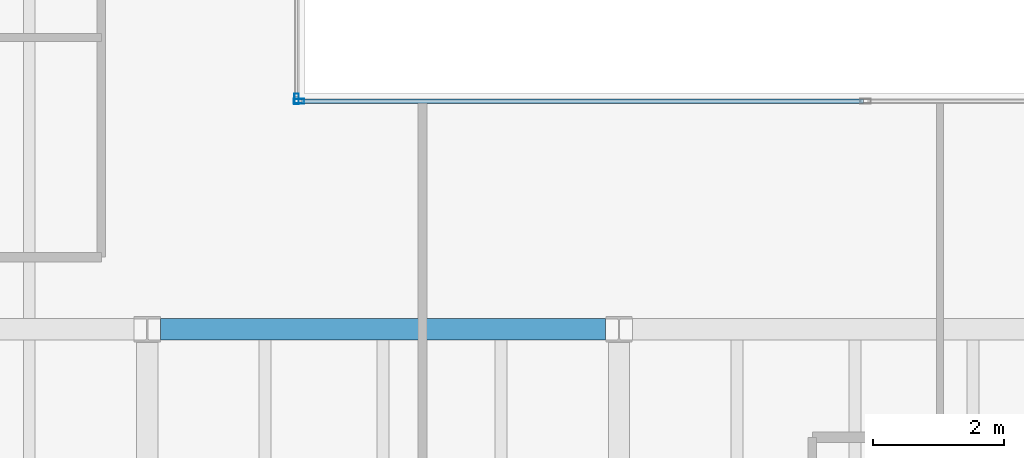
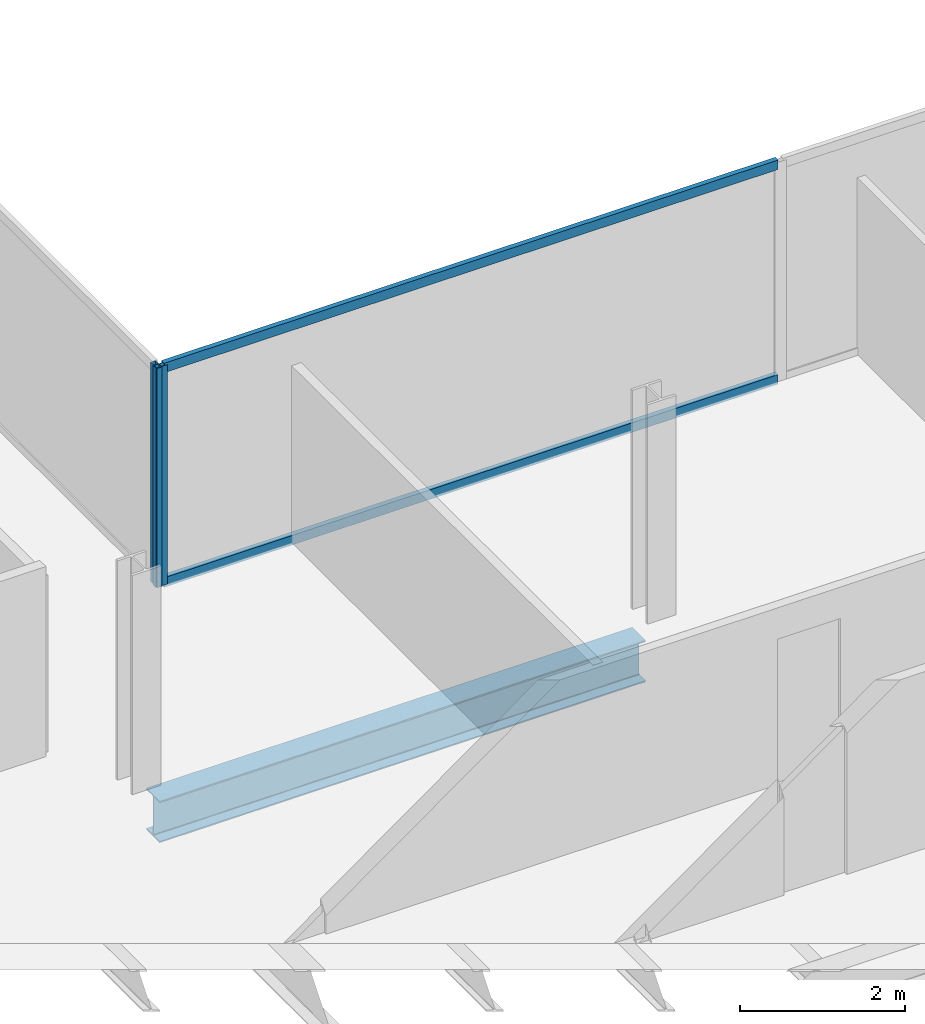
# One storey, part 8 of 23: 4 members, 1 beam, 2 elements without a shape of their own.
"""IFC4 building model written with IfcOpenShell, lengths in metres."""

from ifc_helpers import new_model, si_unit, direction, frame, origin, origin_2d, place, context, subcontext, project, spatial, hollow_rectangle, i_section, extrude, material, material_profile, profile_set, type_object, element, aggregate, save


model = new_model("IFC4")

# Units and contexts
model_context = context("Model", 3, precision=1e-05, world=origin(), true_north=direction((0.0, 1.0)))
body_context = subcontext(model_context, "Body", "Model", "MODEL_VIEW")
ifc_project = project(units=[si_unit("LENGTHUNIT", "METRE"), si_unit("AREAUNIT", "SQUARE_METRE"), si_unit("VOLUMEUNIT", "CUBIC_METRE"), si_unit("PLANEANGLEUNIT", "RADIAN"), si_unit("MASSUNIT", "GRAM", prefix="KILO")], contexts=[model_context])

# Site, building, storey
site_placement = place(None, origin())
site = spatial("IfcSite", under=ifc_project, at=site_placement, CompositionType="ELEMENT")
building_placement = place(site_placement, origin())
building = spatial("IfcBuilding", under=site, at=building_placement, Name="Cobrela Telecom Tower", CompositionType="ELEMENT")
storey_placement = place(building_placement, frame((0.0, 0.0, 211.75)))
storey = spatial("IfcBuildingStorey", under=building, at=storey_placement, Name="L54", CompositionType="ELEMENT", Elevation=211.75)

# Beam
ifc_material_1 = material(Name="Steel ASTM A992 Grade 50", Category="steel")
ifc_material_profile_1 = material_profile(ifc_material_1, i_section(OverallWidth=0.324951171875, OverallDepth=0.612060546875, WebThickness=0.0126953125, FlangeThickness=0.01904296875, FilletRadius=0.014892578125, at=origin_2d()), Name="W24X104")
ifc_profile_set_1 = profile_set([ifc_material_profile_1], Name="Steel ASTM A992 Grade 50")
beam_type = type_object("IfcBeamType", Name="BM-GIRD-07", PredefinedType="USERDEFINED", material=ifc_profile_set_1)
beam_placement = place(storey_placement, frame((21.804443359375, 21.60009765625, -0.56591796875), z_axis=(1.0, 0.0, 0.0), x_axis=(0.0, 1.0, 0.0)))
element("IfcBeam", 1, at=beam_placement, inside=storey, type_object=beam_type, Name="L54 Primary Girder X16", ObjectType="GIRDER", PredefinedType="USERDEFINED", context=body_context, shape_type="SweptSolid", body=[
    extrude(i_section(OverallWidth=0.324951171875, OverallDepth=0.612060546875, WebThickness=0.0126953125, FlangeThickness=0.01904296875, FilletRadius=0.014892578125, at=origin_2d()), origin(), (0.0, 0.0, 1.0), 6.791015625),
])

# Curtain wall, member
ifc_material_2 = material(Name="Anodized Bronze Aluminium 6063-T6", Category="aluminium")
curtain_wall_type = type_object("IfcCurtainWallType", Name="CW-SYS-OFF-LO", PredefinedType="USERDEFINED", material=ifc_material_2)
curtain_wall_1_placement = place(storey_placement, origin())
curtain_wall_1 = element("IfcCurtainWall", 2, at=curtain_wall_1_placement, inside=storey, type_object=curtain_wall_type, Name="L54 Unitised Bronze Curtain Wall 10", ObjectType="UNITISED CURTAIN WALL", PredefinedType="USERDEFINED")
ifc_material_profile_2 = material_profile(ifc_material_2, hollow_rectangle(XDim=0.070068359375, YDim=0.159912109375, WallThickness=0.00390625, at=origin_2d()), Name="ALU 70x160x4")
ifc_profile_set_2 = profile_set([ifc_material_profile_2], Name="Anodized Bronze Aluminium 6063-T6")
member_type_1 = type_object("IfcMemberType", Name="CW-SYS-OFF-LO-MUL", PredefinedType="MULLION", material=ifc_profile_set_2)
member_1_placement = place(storey_placement, frame((23.8798828125, 25.114990234375, 0.0), z_axis=(0.0, 0.0, 1.0), x_axis=(1.0, 0.0, 0.0)))
member_1 = element("IfcMember", 3, at=member_1_placement, type_object=member_type_1, Name="CW-OFF-LO mullion 3", PredefinedType="MULLION", context=body_context, shape_type="SweptSolid", body=[
    extrude(hollow_rectangle(XDim=0.070068359375, YDim=0.159912109375, WallThickness=0.00390625, at=origin_2d()), origin(), (0.0, 0.0, 1.0), 3.239990234375),
])
aggregate(curtain_wall_1, [member_1])

# Curtain wall, members
curtain_wall_2_placement = place(storey_placement, origin())
curtain_wall_2 = element("IfcCurtainWall", 4, at=curtain_wall_2_placement, inside=storey, type_object=curtain_wall_type, Name="L54 Unitised Bronze Curtain Wall 11", ObjectType="UNITISED CURTAIN WALL", PredefinedType="USERDEFINED")
member_2_placement = place(storey_placement, frame((23.9150390625, 25.080078125, 0.0), z_axis=(0.0, 0.0, 1.0), x_axis=(0.0, 1.0, 0.0)))
member_2 = element("IfcMember", 5, at=member_2_placement, type_object=member_type_1, Name="CW-OFF-LO mullion 1", PredefinedType="MULLION", context=body_context, shape_type="SweptSolid", body=[
    extrude(hollow_rectangle(XDim=0.070068359375, YDim=0.159912109375, WallThickness=0.00390625, at=origin_2d()), origin(), (0.0, 0.0, 1.0), 3.239990234375),
])
ifc_material_profile_3 = material_profile(ifc_material_2, hollow_rectangle(XDim=0.070068359375, YDim=0.139892578125, WallThickness=0.00390625, at=origin_2d()), Name="ALU 70x140x4")
ifc_profile_set_3 = profile_set([ifc_material_profile_3], Name="Anodized Bronze Aluminium 6063-T6")
member_type_2 = type_object("IfcMemberType", Name="CW-SYS-OFF-LO-TRN", PredefinedType="USERDEFINED", material=ifc_profile_set_3)
member_3_placement = place(storey_placement, frame((23.949951171875, 25.080078125, 0.034912109375), z_axis=(1.0, 0.0, 0.0), x_axis=(0.0, 1.0, 0.0)))
member_3 = element("IfcMember", 6, at=member_3_placement, type_object=member_type_2, Name="CW-OFF-LO transom 1.1", ObjectType="TRANSOM", PredefinedType="USERDEFINED", context=body_context, shape_type="SweptSolid", body=[
    extrude(hollow_rectangle(XDim=0.070068359375, YDim=0.139892578125, WallThickness=0.00390625, at=origin_2d()), origin(), (0.0, 0.0, 1.0), 8.580078125),
])
member_4_placement = place(storey_placement, frame((23.949951171875, 25.080078125, 3.205078125), z_axis=(1.0, 0.0, 0.0), x_axis=(0.0, 1.0, 0.0)))
member_4 = element("IfcMember", 7, at=member_4_placement, type_object=member_type_2, Name="CW-OFF-LO transom 1.2", ObjectType="TRANSOM", PredefinedType="USERDEFINED", context=body_context, shape_type="SweptSolid", body=[
    extrude(hollow_rectangle(XDim=0.070068359375, YDim=0.139892578125, WallThickness=0.00390625, at=origin_2d()), origin(), (0.0, 0.0, 1.0), 8.580078125),
])
aggregate(curtain_wall_2, [member_2, member_3, member_4])

save(model, "model.ifc")
